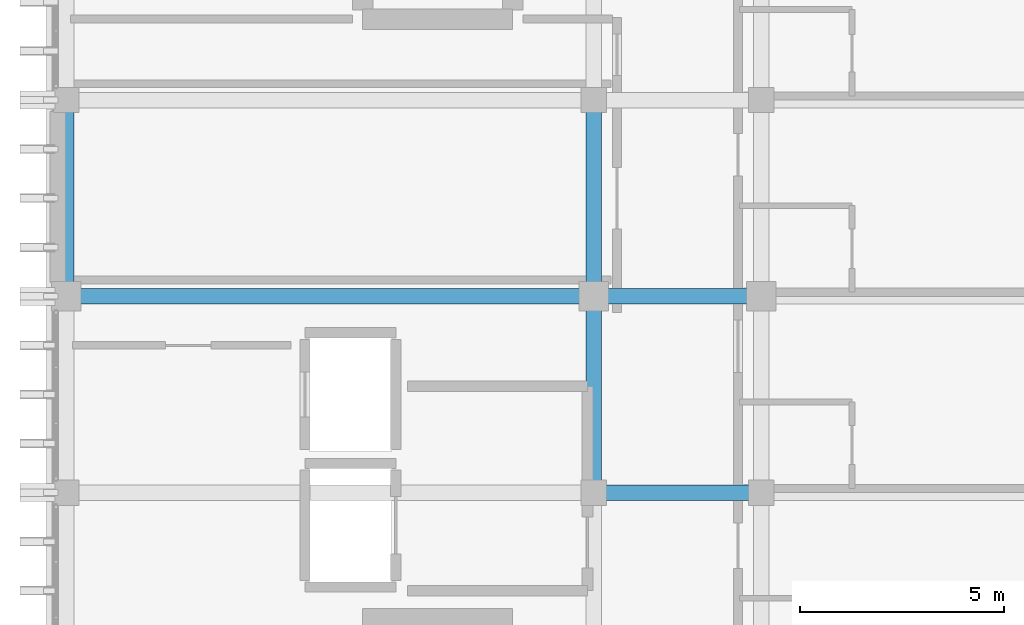
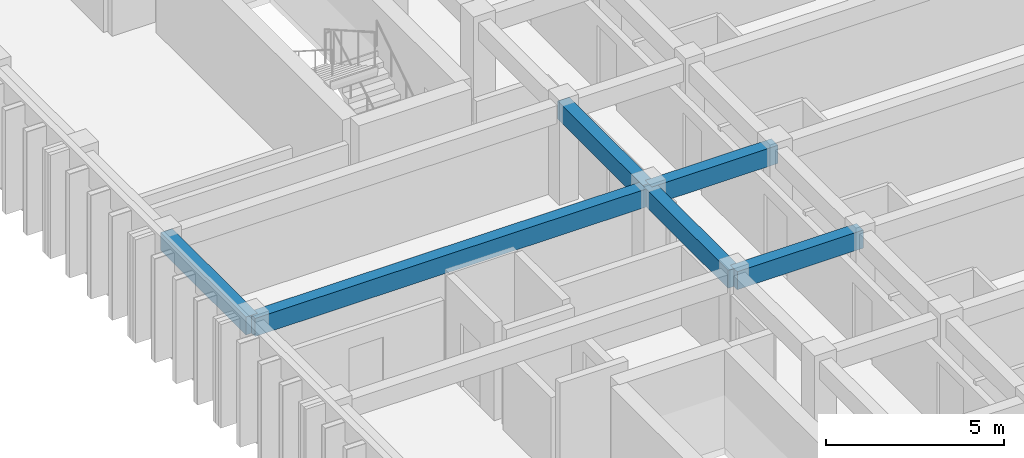
# One storey, part 26 of 59: 6 beams.
"""IFC4 building model written with IfcOpenShell, lengths in metres."""

from ifc_helpers import new_model, si_unit, direction, frame, origin, origin_2d, place, context, subcontext, project, spatial, rectangle, extrude, material, material_profile, profile_set, type_object, element, save


model = new_model("IFC4")

# Units and contexts
model_context = context("Model", 3, precision=1e-05, world=origin(), true_north=direction((0.0, 1.0)))
body_context = subcontext(model_context, "Body", "Model", "MODEL_VIEW")
ifc_project = project(units=[si_unit("LENGTHUNIT", "METRE"), si_unit("AREAUNIT", "SQUARE_METRE"), si_unit("VOLUMEUNIT", "CUBIC_METRE"), si_unit("PLANEANGLEUNIT", "RADIAN"), si_unit("MASSUNIT", "GRAM", prefix="KILO")], contexts=[model_context])

# Site, building, storey
site_placement = place(None, origin())
site = spatial("IfcSite", under=ifc_project, at=site_placement, CompositionType="ELEMENT")
building_placement = place(site_placement, origin())
building = spatial("IfcBuilding", under=site, at=building_placement, Name="Nakhvara Creek Congress Hotel", CompositionType="ELEMENT")
storey_placement = place(building_placement, frame((0.0, 0.0, 31.800048828125)))
storey = spatial("IfcBuildingStorey", under=building, at=storey_placement, Name="L07", CompositionType="ELEMENT", Elevation=31.800048828125)

# Beams
ifc_material = material(Name="Concrete C40/50", Category="concrete")
ifc_material_profile = material_profile(ifc_material, rectangle(XDim=0.3798828125, YDim=0.6201171875, at=origin_2d()), Name="RC-BM 380x620", Category="LoadBearing")
ifc_profile_set = profile_set([ifc_material_profile], Name="Concrete C40/50")
beam_type = type_object("IfcBeamType", Name="BM-RC-380X620", PredefinedType="BEAM", material=ifc_profile_set)
beam_1_placement = place(storey_placement, frame((149.449951171875, 96.0, 3.050048828125), z_axis=(1.0, 0.0, 0.0), x_axis=(0.0, 1.0, 0.0)))
element("IfcBeam", 1, at=beam_1_placement, inside=storey, type_object=beam_type, Name="Beam B10-L07-2331", PredefinedType="BEAM", context=body_context, shape_type="SweptSolid", body=[
    extrude(rectangle(XDim=0.3798828125, YDim=0.6201171875, at=origin_2d()), origin(), (0.0, 0.0, 1.0), 12.900146484375),
])
beam_2_placement = place(storey_placement, frame((149.449951171875, 96.0, 3.050048828125), z_axis=(0.0, 1.0, 0.0), x_axis=(-1.0, 0.0, 0.0)))
element("IfcBeam", 2, at=beam_2_placement, inside=storey, type_object=beam_type, Name="Beam B10-L07-2333", PredefinedType="BEAM", context=body_context, shape_type="SweptSolid", body=[
    extrude(rectangle(XDim=0.3798828125, YDim=0.6201171875, at=origin_2d()), origin(), (0.0, 0.0, 1.0), 4.800048828125),
])
beam_3_placement = place(storey_placement, frame((162.35009765625, 96.0, 3.050048828125), z_axis=(1.0, 0.0, 0.0), x_axis=(0.0, 1.0, 0.0)))
element("IfcBeam", 3, at=beam_3_placement, inside=storey, type_object=beam_type, Name="Beam B10-L07-2355", PredefinedType="BEAM", context=body_context, shape_type="SweptSolid", body=[
    extrude(rectangle(XDim=0.3798828125, YDim=0.6201171875, at=origin_2d()), origin(), (0.0, 0.0, 1.0), 4.099853515625),
])
for number, where, z_axis, x_axis, name in (
    (4, (162.35009765625, 91.199951171875, 3.050048828125), (0.0, 1.0, 0.0), (-1.0, 0.0, 0.0), "Beam B10-L07-2356"),
    (5, (162.35009765625, 96.0, 3.050048828125), (0.0, 1.0, 0.0), (-1.0, 0.0, 0.0), "Beam B10-L07-2357"),
):
    element("IfcBeam", number, at=place(storey_placement, frame(where, z_axis=z_axis, x_axis=x_axis)), inside=storey, type_object=beam_type, Name=name, PredefinedType="BEAM", context=body_context, shape_type="SweptSolid", body=[
        extrude(rectangle(XDim=0.3798828125, YDim=0.6201171875, at=origin_2d()), origin(), (0.0, 0.0, 1.0), 4.800048828125),
    ])
beam_4_placement = place(storey_placement, frame((162.35009765625, 91.199951171875, 3.050048828125), z_axis=(1.0, 0.0, 0.0), x_axis=(0.0, 1.0, 0.0)))
element("IfcBeam", 6, at=beam_4_placement, inside=storey, type_object=beam_type, Name="Beam B10-L07-2417", PredefinedType="BEAM", context=body_context, shape_type="SweptSolid", body=[
    extrude(rectangle(XDim=0.3798828125, YDim=0.6201171875, at=origin_2d()), origin(), (0.0, 0.0, 1.0), 4.099853515625),
])

save(model, "model.ifc")
